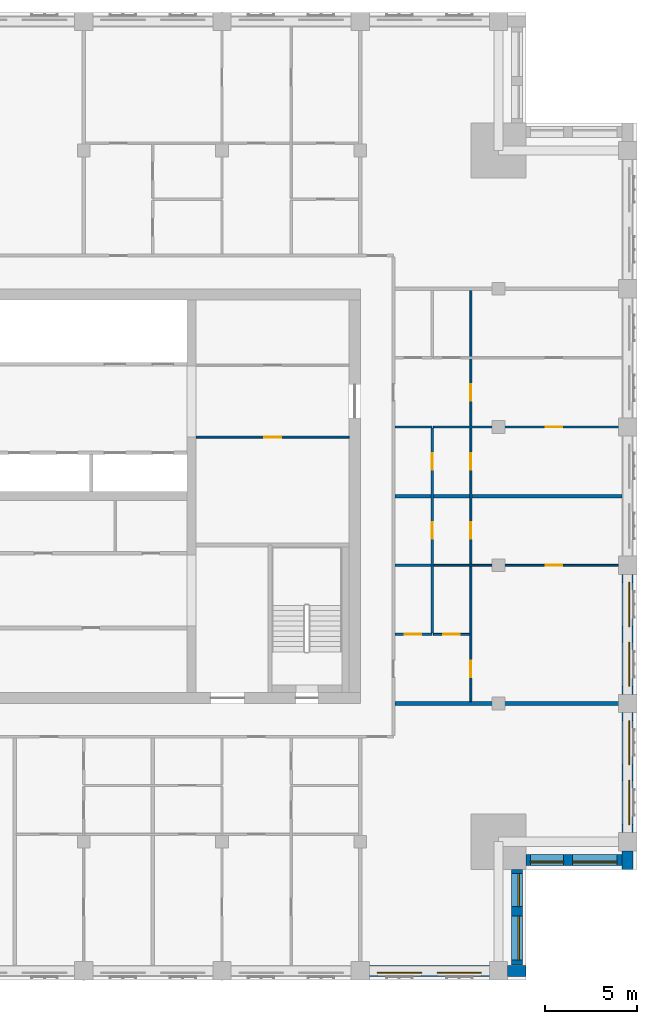
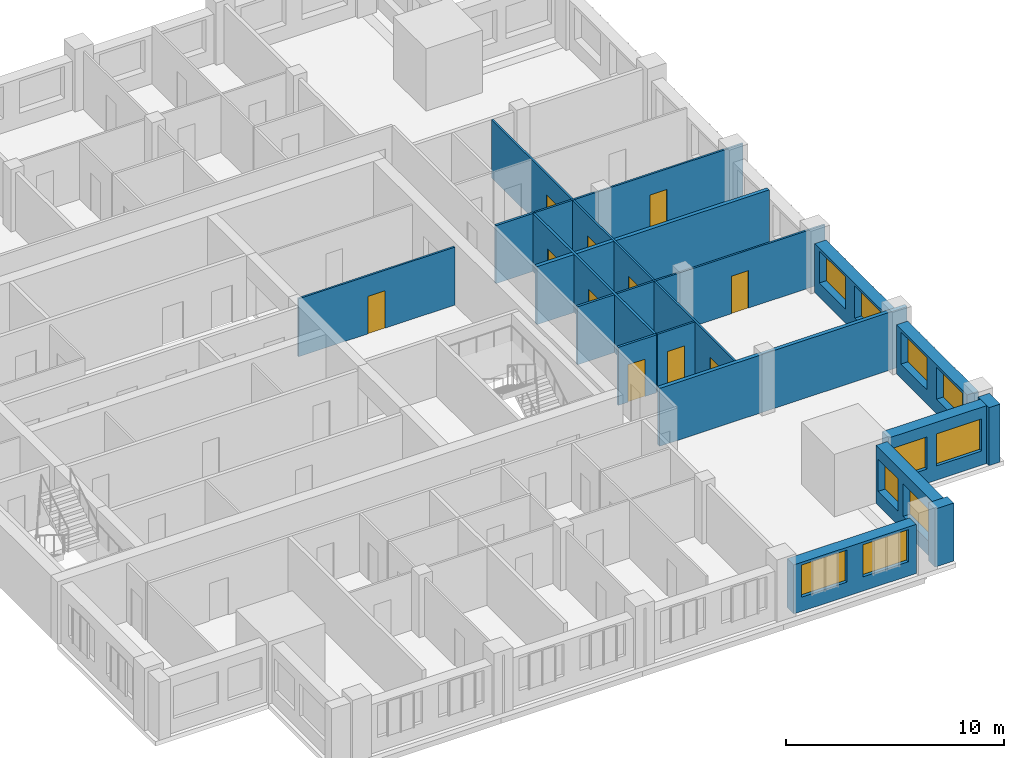
# One storey, part 5 of 10: 18 walls, 11 doors, 10 windows, 21 openings.
"""IFC4 building model written with IfcOpenShell, lengths in metres."""

import ifcopenshell
import ifcopenshell.guid

model = None  # the IFC model being written
_history = None  # IfcOwnerHistory: only IFC2X3 demands one
_inside = {}  # id of a spatial element -> (the spatial element, [elements in it])
_under = {}  # id of a project, library or spatial element -> (it, [spatial elements below it])
_declared = {}  # id of a project -> (the project, [libraries it declares])
_typed = {}  # id of a type object -> (the type object, [elements of that type])
_made_of = {}  # id of a material, layer set ... -> (it, [elements and type objects made of it])


def new_model(schema):
    """Start an empty IFC model of exactly this schema.

    Asked for "IFC4X3", IfcOpenShell would pick the latest addendum, in which some entities
    have other attributes; the version numbers below select the first issue.
    IFC2X3 requires an IfcOwnerHistory on every rooted entity: one is made here for all.
    """
    global model, _history
    if schema == "IFC4X3":
        model = ifcopenshell.file(schema_version=(4, 3, 0, 0))
    else:
        model = ifcopenshell.file(schema=schema)
    _inside.clear()
    _under.clear()
    _declared.clear()
    _typed.clear()
    _made_of.clear()
    _history = None
    if model.schema == "IFC2X3":
        org = make("IfcOrganization", Name="unknown")
        user = make(
            "IfcPersonAndOrganization",
            ThePerson=make("IfcPerson", FamilyName="unknown"),
            TheOrganization=org,
        )
        app = make(
            "IfcApplication",
            ApplicationDeveloper=org,
            Version="unknown",
            ApplicationFullName="unknown",
            ApplicationIdentifier="unknown",
        )
        _history = make(
            "IfcOwnerHistory",
            OwningUser=user,
            OwningApplication=app,
            ChangeAction="ADDED",
            CreationDate=0,
        )
    return model


def make(cls, **values):
    """One entity of the class cls with the attributes given. An attribute that is None is left unset."""
    return model.create_entity(
        cls, **{name: value for name, value in values.items() if value is not None}
    )


def rooted(cls, **values):
    """An entity with a GlobalId (a new one), such as an element, a storey or a relation."""
    return make(cls, GlobalId=ifcopenshell.guid.new(), OwnerHistory=_history, **values)


def si_unit(unit_type, name, prefix=None):
    """IfcSIUnit, for example si_unit("LENGTHUNIT", "METRE", prefix="MILLI")."""
    return make("IfcSIUnit", UnitType=unit_type, Prefix=prefix, Name=name)


def assignment(units):
    """IfcUnitAssignment: the units of a project."""
    return None if units is None else make("IfcUnitAssignment", Units=units)


def point(xyz):
    """IfcCartesianPoint."""
    return None if xyz is None else make("IfcCartesianPoint", Coordinates=xyz)


def direction(xyz):
    """IfcDirection."""
    return None if xyz is None else make("IfcDirection", DirectionRatios=xyz)


def frame(location, z_axis=None, x_axis=None):
    """IfcAxis2Placement3D, a coordinate frame: its origin and axes. An axis left out is left unset."""
    return make(
        "IfcAxis2Placement3D",
        Location=point(location),
        Axis=direction(z_axis),
        RefDirection=direction(x_axis),
    )


def frame_2d(location, x_axis=None):
    """IfcAxis2Placement2D, a coordinate frame in the plane: its origin and x axis."""
    return make(
        "IfcAxis2Placement2D", Location=point(location), RefDirection=direction(x_axis)
    )


def origin():
    """The frame at (0, 0, 0) with its axes left unset."""
    return frame((0.0, 0.0, 0.0))


def place(relative_to, where):
    """IfcLocalPlacement: puts the frame where relative to a parent placement (None: the world)."""
    return make(
        "IfcLocalPlacement", PlacementRelTo=relative_to, RelativePlacement=where
    )


def context(
    kind, dimensions, precision=None, world=None, true_north=None, identifier=None
):
    """IfcGeometricRepresentationContext, for example the 3D "Model" context."""
    return make(
        "IfcGeometricRepresentationContext",
        ContextIdentifier=identifier,
        ContextType=kind,
        CoordinateSpaceDimension=dimensions,
        Precision=precision,
        WorldCoordinateSystem=world,
        TrueNorth=true_north,
    )


def subcontext(parent, identifier, kind, view, scale=None):
    """IfcGeometricRepresentationSubContext, for example "Body" below "Model"."""
    return make(
        "IfcGeometricRepresentationSubContext",
        ContextIdentifier=identifier,
        ContextType=kind,
        ParentContext=parent,
        TargetScale=scale,
        TargetView=view,
    )


def project(units=None, contexts=None):
    """IfcProject with its units and contexts."""
    return rooted(
        "IfcProject",
        Name="project",
        RepresentationContexts=contexts,
        UnitsInContext=assignment(units),
    )


def spatial(cls, under=None, at=None, **own):
    """A site, building, storey or space (cls), placed at a placement, below another one or the project."""
    s = rooted(cls, ObjectPlacement=at, **own)
    if under is not None:
        _under.setdefault(under.id(), (under, []))[1].append(s)
    return s


def profile(cls, at=None, kind="AREA", **sizes):
    """A parametric profile (cls). Its sizes go by their IFC names, for example OverallWidth=200.0."""
    return make(cls, ProfileType=kind, Position=at, **sizes)


def rectangle(**sizes):
    """IfcRectangleProfileDef."""
    return profile("IfcRectangleProfileDef", **sizes)


def extrude(swept, where, along, depth):
    """IfcExtrudedAreaSolid: the profile swept, set in the frame where, extruded along a direction by depth."""
    return make(
        "IfcExtrudedAreaSolid",
        SweptArea=swept,
        Position=where,
        ExtrudedDirection=direction(along),
        Depth=depth,
    )


def shape(context_of_items, identifier, shape_type, items):
    """IfcShapeRepresentation: the items that make up one representation, for example the "Body"."""
    return make(
        "IfcShapeRepresentation",
        ContextOfItems=context_of_items,
        RepresentationIdentifier=identifier,
        RepresentationType=shape_type,
        Items=items,
    )


def material(Name=None, Category=None):
    """IfcMaterial."""
    return make("IfcMaterial", Name=Name, Category=Category)


def layer(
    of_material, thickness, ventilated=None, Name=None, Category=None, Priority=None
):
    """IfcMaterialLayer: one layer of a wall or slab, of a material (None: an air gap)."""
    return make(
        "IfcMaterialLayer",
        Material=of_material,
        LayerThickness=thickness,
        IsVentilated=ventilated,
        Name=Name,
        Category=Category,
        Priority=Priority,
    )


def layer_set(layers, Name=None):
    """IfcMaterialLayerSet."""
    return make("IfcMaterialLayerSet", MaterialLayers=layers, LayerSetName=Name)


def made_of(thing, what):
    """Note that an element or type object is made of a material, layer set ...; save() writes the relation."""
    if what is not None:
        _made_of.setdefault(what.id(), (what, []))[1].append(thing)
    return thing


def type_object(cls, material=None, **own):
    """A type object (cls), such as IfcWallType, which elements share."""
    return made_of(rooted(cls, **own), material)


def element(
    cls,
    number,
    at=None,
    inside=None,
    cuts=None,
    type_object=None,
    material=None,
    context=None,
    identifier="Body",
    shape_type=None,
    held_by="IfcProductDefinitionShape",
    body=None,
    shapes=None,
    **own,
):
    """One element of the class cls, such as IfcWall. Its Tag is "e" and its number.

    at: its placement. inside: the storey or other place that contains it. cuts: it is an
    opening in that element (IfcRelVoidsElement). A single representation is given by context,
    identifier, shape_type and body (its items); several are given by shapes. held_by: the class
    of the entity that holds the representations. save() writes the other relations.
    """
    e = rooted(cls, Tag="e%d" % number, ObjectPlacement=at, **own)
    if body is not None:
        shapes = [shape(context, identifier, shape_type, body)]
    if shapes is not None:
        e.Representation = make(held_by, Representations=shapes)
    if inside is not None:
        _inside.setdefault(inside.id(), (inside, []))[1].append(e)
    if cuts is not None:
        rooted(
            "IfcRelVoidsElement", RelatingBuildingElement=cuts, RelatedOpeningElement=e
        )
    if type_object is not None:
        _typed.setdefault(type_object.id(), (type_object, []))[1].append(e)
    return made_of(e, material)


def fill(opening, filler):
    """IfcRelFillsElement: the door or window that sits in an opening."""
    return rooted(
        "IfcRelFillsElement",
        RelatingOpeningElement=opening,
        RelatedBuildingElement=filler,
    )


def aggregate(whole, parts):
    """IfcRelAggregates: a whole, such as a stair, and the parts it consists of."""
    return rooted("IfcRelAggregates", RelatingObject=whole, RelatedObjects=parts)


def save(model, path):
    """Write the relations noted so far, then the file.

    IfcRelAggregates (storeys below a building ...), IfcRelContainedInSpatialStructure (elements
    in a storey), IfcRelDefinesByType, IfcRelAssociatesMaterial and IfcRelDeclares: one each for
    every whole, place, type object, material and project.
    """
    for whole, parts in _under.values():
        aggregate(whole, parts)
    for where, things in _inside.values():
        rooted(
            "IfcRelContainedInSpatialStructure",
            RelatedElements=things,
            RelatingStructure=where,
        )
    for kind, things in _typed.values():
        rooted("IfcRelDefinesByType", RelatedObjects=things, RelatingType=kind)
    for what, things in _made_of.values():
        rooted("IfcRelAssociatesMaterial", RelatedObjects=things, RelatingMaterial=what)
    for by, libraries in _declared.values():
        rooted("IfcRelDeclares", RelatingContext=by, RelatedDefinitions=libraries)
    model.write(path)


model = new_model("IFC4")

# Units and contexts
model_context = context("Model", 3, precision=1e-05, world=origin(), true_north=direction((0.0, 1.0)))
body_context = subcontext(model_context, "Body", "Model", "MODEL_VIEW")
ifc_project = project(units=[si_unit("LENGTHUNIT", "METRE"), si_unit("AREAUNIT", "SQUARE_METRE"), si_unit("VOLUMEUNIT", "CUBIC_METRE"), si_unit("PLANEANGLEUNIT", "RADIAN"), si_unit("MASSUNIT", "GRAM", prefix="KILO")], contexts=[model_context])

# Site, building, storey
site_placement = place(None, origin())
site = spatial("IfcSite", under=ifc_project, at=site_placement, CompositionType="ELEMENT")
building_placement = place(site_placement, origin())
building = spatial("IfcBuilding", under=site, at=building_placement, Name="Tamorin Gate", CompositionType="ELEMENT")
storey_placement = place(building_placement, frame((0.0, 0.0, 280.199951171875)))
storey = spatial("IfcBuildingStorey", under=building, at=storey_placement, Name="L70", CompositionType="ELEMENT", Elevation=280.199951171875)

# Wall, openings, windows
ifc_material_1 = material(Name="Precast concrete C40/50", Category="concrete")
ifc_layer_1 = layer(ifc_material_1, 0.60009765625)
ifc_layer_set_1 = layer_set([ifc_layer_1], Name="Precast concrete C40/50")
wall_type_1 = type_object("IfcWallType", Name="Board-marked concrete facade panel 600", PredefinedType="SOLIDWALL", material=ifc_layer_set_1)
wall_1_placement = place(storey_placement, frame((60.5, 45.5, 0.0), z_axis=(0.0, 0.0, 1.0), x_axis=(1.0, 0.0, 0.0)))
wall_1 = element("IfcWall", 1, at=wall_1_placement, inside=storey, type_object=wall_type_1, Name="Facade panel", PredefinedType="SOLIDWALL", context=body_context, shape_type="SweptSolid", body=[
    extrude(rectangle(XDim=6.5, YDim=0.60009765625, at=frame_2d((3.25, 0.0))), origin(), (0.0, 0.0, 1.0), 2.75),
])
opening_1_placement = place(wall_1_placement, frame((0.425048828125, 0.0, 0.800048828125)))
opening_1 = element("IfcOpeningElement", 2, at=opening_1_placement, cuts=wall_1, Name="Opening WN1", PredefinedType="OPENING", context=body_context, shape_type="SweptSolid", body=[
    extrude(rectangle(XDim=2.39990234375, YDim=1.800048828125, at=frame_2d((1.199951171875, 0.89990234375))), frame((0.0, 0.31005859375, 0.0), z_axis=(0.0, -1.0, 0.0), x_axis=(1.0, 0.0, 0.0)), (0.0, 0.0, 1.0), 0.6201171875),
])
opening_2_placement = place(wall_1_placement, frame((3.675048828125, 0.0, 0.800048828125)))
opening_2 = element("IfcOpeningElement", 3, at=opening_2_placement, cuts=wall_1, Name="Opening WN1", PredefinedType="OPENING", context=body_context, shape_type="SweptSolid", body=[
    extrude(rectangle(XDim=2.39990234375, YDim=1.800048828125, at=frame_2d((1.199951171875, 0.89990234375))), frame((0.0, 0.31005859375, 0.0), z_axis=(0.0, -1.0, 0.0), x_axis=(1.0, 0.0, 0.0)), (0.0, 0.0, 1.0), 0.6201171875),
])
ifc_material_2 = material(Name="Clear glass in aluminium frame", Category="aluminium")
window_type_1 = type_object("IfcWindowType", Name="Deep-set window 2400x1800", PartitioningType="SINGLE_PANEL", PredefinedType="WINDOW", material=ifc_material_2)
window_1_placement = place(opening_1_placement, origin())
window_1 = element("IfcWindow", 4, at=window_1_placement, inside=storey, type_object=window_type_1, Name="Deep-set window", OverallHeight=1.800048828125, OverallWidth=2.39990234375, PartitioningType="SINGLE_PANEL", PredefinedType="WINDOW", context=body_context, shape_type="SweptSolid", body=[
    extrude(rectangle(XDim=2.39990234375, YDim=1.800048828125, at=frame_2d((1.199951171875, 0.89990234375))), frame((0.0, -0.070068359375, 0.0), z_axis=(0.0, -1.0, 0.0), x_axis=(1.0, 0.0, 0.0)), (0.0, 0.0, 1.0), 0.06005859375),
])
fill(opening_1, window_1)
window_2_placement = place(opening_2_placement, origin())
window_2 = element("IfcWindow", 5, at=window_2_placement, inside=storey, type_object=window_type_1, Name="Deep-set window", OverallHeight=1.800048828125, OverallWidth=2.39990234375, PartitioningType="SINGLE_PANEL", PredefinedType="WINDOW", context=body_context, shape_type="SweptSolid", body=[
    extrude(rectangle(XDim=2.39990234375, YDim=1.800048828125, at=frame_2d((1.199951171875, 0.89990234375))), frame((0.0, -0.070068359375, 0.0), z_axis=(0.0, -1.0, 0.0), x_axis=(1.0, 0.0, 0.0)), (0.0, 0.0, 1.0), 0.06005859375),
])
fill(opening_2, window_2)

# Wall
wall_2_placement = place(storey_placement, frame((68.0, 45.5, 0.0), z_axis=(0.0, 0.0, 1.0), x_axis=(1.0, 0.0, 0.0)))
element("IfcWall", 6, at=wall_2_placement, inside=storey, type_object=wall_type_1, Name="Facade panel", PredefinedType="SOLIDWALL", context=body_context, shape_type="SweptSolid", body=[
    extrude(rectangle(XDim=1.0, YDim=0.60009765625, at=frame_2d((0.5, 0.0))), origin(), (0.0, 0.0, 1.0), 3.25),
])

# Wall, openings, windows
wall_3_placement = place(storey_placement, frame((68.5, 45.800048828125, 0.0), z_axis=(0.0, 0.0, 1.0), x_axis=(0.0, 1.0, 0.0)))
wall_3 = element("IfcWall", 7, at=wall_3_placement, inside=storey, type_object=wall_type_1, Name="Facade panel", PredefinedType="SOLIDWALL", context=body_context, shape_type="SweptSolid", body=[
    extrude(rectangle(XDim=5.199951171875, YDim=0.60009765625, at=frame_2d((2.60009765625, 0.0))), origin(), (0.0, 0.0, 1.0), 3.25),
])
opening_3_placement = place(wall_3_placement, frame((0.27490234375, 0.0, 0.800048828125)))
opening_3 = element("IfcOpeningElement", 8, at=opening_3_placement, cuts=wall_3, Name="Opening WN1", PredefinedType="OPENING", context=body_context, shape_type="SweptSolid", body=[
    extrude(rectangle(XDim=2.39990234375, YDim=1.800048828125, at=frame_2d((1.199951171875, 0.89990234375))), frame((0.0, 0.31005859375, 0.0), z_axis=(0.0, -1.0, 0.0), x_axis=(1.0, 0.0, 0.0)), (0.0, 0.0, 1.0), 0.6201171875),
])
opening_4_placement = place(wall_3_placement, frame((3.175048828125, 0.0, 0.800048828125)))
opening_4 = element("IfcOpeningElement", 9, at=opening_4_placement, cuts=wall_3, Name="Opening WN2", PredefinedType="OPENING", context=body_context, shape_type="SweptSolid", body=[
    extrude(rectangle(XDim=1.800048828125, YDim=1.800048828125, at=frame_2d((0.89990234375, 0.89990234375))), frame((0.0, 0.31005859375, 0.0), z_axis=(0.0, -1.0, 0.0), x_axis=(1.0, 0.0, 0.0)), (0.0, 0.0, 1.0), 0.6201171875),
])
window_type_2 = type_object("IfcWindowType", Name="Deep-set window 1800x1800", PartitioningType="SINGLE_PANEL", PredefinedType="WINDOW", material=ifc_material_2)
window_3_placement = place(opening_4_placement, origin())
window_3 = element("IfcWindow", 10, at=window_3_placement, inside=storey, type_object=window_type_2, Name="Deep-set window", OverallHeight=1.800048828125, OverallWidth=1.800048828125, PartitioningType="SINGLE_PANEL", PredefinedType="WINDOW", context=body_context, shape_type="SweptSolid", body=[
    extrude(rectangle(XDim=1.800048828125, YDim=1.800048828125, at=frame_2d((0.89990234375, 0.89990234375))), frame((0.0, -0.070068359375, 0.0), z_axis=(0.0, -1.0, 0.0), x_axis=(1.0, 0.0, 0.0)), (0.0, 0.0, 1.0), 0.06005859375),
])
fill(opening_4, window_3)
window_4_placement = place(opening_3_placement, origin())
window_4 = element("IfcWindow", 11, at=window_4_placement, inside=storey, type_object=window_type_1, Name="Deep-set window", OverallHeight=1.800048828125, OverallWidth=2.39990234375, PartitioningType="SINGLE_PANEL", PredefinedType="WINDOW", context=body_context, shape_type="SweptSolid", body=[
    extrude(rectangle(XDim=2.39990234375, YDim=1.800048828125, at=frame_2d((1.199951171875, 0.89990234375))), frame((0.0, -0.070068359375, 0.0), z_axis=(0.0, -1.0, 0.0), x_axis=(1.0, 0.0, 0.0)), (0.0, 0.0, 1.0), 0.06005859375),
])
fill(opening_3, window_4)

wall_4_placement = place(storey_placement, frame((69.0, 51.5, 0.0), z_axis=(0.0, 0.0, 1.0), x_axis=(1.0, 0.0, 0.0)))
wall_4 = element("IfcWall", 12, at=wall_4_placement, inside=storey, type_object=wall_type_1, Name="Facade panel", PredefinedType="SOLIDWALL", context=body_context, shape_type="SweptSolid", body=[
    extrude(rectangle(XDim=5.199951171875, YDim=0.60009765625, at=frame_2d((2.60009765625, 0.0))), origin(), (0.0, 0.0, 1.0), 3.25),
])
opening_5_placement = place(wall_4_placement, frame((0.22509765625, 0.0, 0.800048828125)))
opening_5 = element("IfcOpeningElement", 13, at=opening_5_placement, cuts=wall_4, Name="Opening WN2", PredefinedType="OPENING", context=body_context, shape_type="SweptSolid", body=[
    extrude(rectangle(XDim=1.800048828125, YDim=1.800048828125, at=frame_2d((0.89990234375, 0.89990234375))), frame((0.0, 0.31005859375, 0.0), z_axis=(0.0, -1.0, 0.0), x_axis=(1.0, 0.0, 0.0)), (0.0, 0.0, 1.0), 0.6201171875),
])
opening_6_placement = place(wall_4_placement, frame((2.52490234375, 0.0, 0.800048828125)))
opening_6 = element("IfcOpeningElement", 14, at=opening_6_placement, cuts=wall_4, Name="Opening WN1", PredefinedType="OPENING", context=body_context, shape_type="SweptSolid", body=[
    extrude(rectangle(XDim=2.39990234375, YDim=1.800048828125, at=frame_2d((1.199951171875, 0.89990234375))), frame((0.0, 0.31005859375, 0.0), z_axis=(0.0, -1.0, 0.0), x_axis=(1.0, 0.0, 0.0)), (0.0, 0.0, 1.0), 0.6201171875),
])
window_5_placement = place(opening_5_placement, origin())
window_5 = element("IfcWindow", 15, at=window_5_placement, inside=storey, type_object=window_type_2, Name="Deep-set window", OverallHeight=1.800048828125, OverallWidth=1.800048828125, PartitioningType="SINGLE_PANEL", PredefinedType="WINDOW", context=body_context, shape_type="SweptSolid", body=[
    extrude(rectangle(XDim=1.800048828125, YDim=1.800048828125, at=frame_2d((0.89990234375, 0.89990234375))), frame((0.0, -0.070068359375, 0.0), z_axis=(0.0, -1.0, 0.0), x_axis=(1.0, 0.0, 0.0)), (0.0, 0.0, 1.0), 0.06005859375),
])
fill(opening_5, window_5)
window_6_placement = place(opening_6_placement, origin())
window_6 = element("IfcWindow", 16, at=window_6_placement, inside=storey, type_object=window_type_1, Name="Deep-set window", OverallHeight=1.800048828125, OverallWidth=2.39990234375, PartitioningType="SINGLE_PANEL", PredefinedType="WINDOW", context=body_context, shape_type="SweptSolid", body=[
    extrude(rectangle(XDim=2.39990234375, YDim=1.800048828125, at=frame_2d((1.199951171875, 0.89990234375))), frame((0.0, -0.070068359375, 0.0), z_axis=(0.0, -1.0, 0.0), x_axis=(1.0, 0.0, 0.0)), (0.0, 0.0, 1.0), 0.06005859375),
])
fill(opening_6, window_6)

# Wall
wall_5_placement = place(storey_placement, frame((74.5, 51.0, 0.0), z_axis=(0.0, 0.0, 1.0), x_axis=(0.0, 1.0, 0.0)))
element("IfcWall", 17, at=wall_5_placement, inside=storey, type_object=wall_type_1, Name="Facade panel", PredefinedType="SOLIDWALL", context=body_context, shape_type="SweptSolid", body=[
    extrude(rectangle(XDim=1.0, YDim=0.60009765625, at=frame_2d((0.5, 0.0))), origin(), (0.0, 0.0, 1.0), 3.25),
])

# Wall, openings, windows
wall_6_placement = place(storey_placement, frame((74.5, 53.0, 0.0), z_axis=(0.0, 0.0, 1.0), x_axis=(0.0, 1.0, 0.0)))
wall_6 = element("IfcWall", 18, at=wall_6_placement, inside=storey, type_object=wall_type_1, Name="Facade panel", PredefinedType="SOLIDWALL", context=body_context, shape_type="SweptSolid", body=[
    extrude(rectangle(XDim=6.5, YDim=0.60009765625, at=frame_2d((3.25, 0.0))), origin(), (0.0, 0.0, 1.0), 2.75),
])
opening_7_placement = place(wall_6_placement, frame((0.425048828125, 0.0, 0.800048828125)))
opening_7 = element("IfcOpeningElement", 19, at=opening_7_placement, cuts=wall_6, Name="Opening WN1", PredefinedType="OPENING", context=body_context, shape_type="SweptSolid", body=[
    extrude(rectangle(XDim=2.39990234375, YDim=1.800048828125, at=frame_2d((1.199951171875, 0.89990234375))), frame((0.0, 0.31005859375, 0.0), z_axis=(0.0, -1.0, 0.0), x_axis=(1.0, 0.0, 0.0)), (0.0, 0.0, 1.0), 0.6201171875),
])
opening_8_placement = place(wall_6_placement, frame((3.675048828125, 0.0, 0.800048828125)))
opening_8 = element("IfcOpeningElement", 20, at=opening_8_placement, cuts=wall_6, Name="Opening WN1", PredefinedType="OPENING", context=body_context, shape_type="SweptSolid", body=[
    extrude(rectangle(XDim=2.39990234375, YDim=1.800048828125, at=frame_2d((1.199951171875, 0.89990234375))), frame((0.0, 0.31005859375, 0.0), z_axis=(0.0, -1.0, 0.0), x_axis=(1.0, 0.0, 0.0)), (0.0, 0.0, 1.0), 0.6201171875),
])
window_7_placement = place(opening_7_placement, origin())
window_7 = element("IfcWindow", 21, at=window_7_placement, inside=storey, type_object=window_type_1, Name="Deep-set window", OverallHeight=1.800048828125, OverallWidth=2.39990234375, PartitioningType="SINGLE_PANEL", PredefinedType="WINDOW", context=body_context, shape_type="SweptSolid", body=[
    extrude(rectangle(XDim=2.39990234375, YDim=1.800048828125, at=frame_2d((1.199951171875, 0.89990234375))), frame((0.0, -0.070068359375, 0.0), z_axis=(0.0, -1.0, 0.0), x_axis=(1.0, 0.0, 0.0)), (0.0, 0.0, 1.0), 0.06005859375),
])
fill(opening_7, window_7)
window_8_placement = place(opening_8_placement, origin())
window_8 = element("IfcWindow", 22, at=window_8_placement, inside=storey, type_object=window_type_1, Name="Deep-set window", OverallHeight=1.800048828125, OverallWidth=2.39990234375, PartitioningType="SINGLE_PANEL", PredefinedType="WINDOW", context=body_context, shape_type="SweptSolid", body=[
    extrude(rectangle(XDim=2.39990234375, YDim=1.800048828125, at=frame_2d((1.199951171875, 0.89990234375))), frame((0.0, -0.070068359375, 0.0), z_axis=(0.0, -1.0, 0.0), x_axis=(1.0, 0.0, 0.0)), (0.0, 0.0, 1.0), 0.06005859375),
])
fill(opening_8, window_8)

wall_7_placement = place(storey_placement, frame((74.5, 60.5, 0.0), z_axis=(0.0, 0.0, 1.0), x_axis=(0.0, 1.0, 0.0)))
wall_7 = element("IfcWall", 23, at=wall_7_placement, inside=storey, type_object=wall_type_1, Name="Facade panel", PredefinedType="SOLIDWALL", context=body_context, shape_type="SweptSolid", body=[
    extrude(rectangle(XDim=6.5, YDim=0.60009765625, at=frame_2d((3.25, 0.0))), origin(), (0.0, 0.0, 1.0), 2.75),
])
opening_9_placement = place(wall_7_placement, frame((0.425048828125, 0.0, 0.800048828125)))
opening_9 = element("IfcOpeningElement", 24, at=opening_9_placement, cuts=wall_7, Name="Opening WN1", PredefinedType="OPENING", context=body_context, shape_type="SweptSolid", body=[
    extrude(rectangle(XDim=2.39990234375, YDim=1.800048828125, at=frame_2d((1.199951171875, 0.89990234375))), frame((0.0, 0.31005859375, 0.0), z_axis=(0.0, -1.0, 0.0), x_axis=(1.0, 0.0, 0.0)), (0.0, 0.0, 1.0), 0.6201171875),
])
opening_10_placement = place(wall_7_placement, frame((3.675048828125, 0.0, 0.800048828125)))
opening_10 = element("IfcOpeningElement", 25, at=opening_10_placement, cuts=wall_7, Name="Opening WN1", PredefinedType="OPENING", context=body_context, shape_type="SweptSolid", body=[
    extrude(rectangle(XDim=2.39990234375, YDim=1.800048828125, at=frame_2d((1.199951171875, 0.89990234375))), frame((0.0, 0.31005859375, 0.0), z_axis=(0.0, -1.0, 0.0), x_axis=(1.0, 0.0, 0.0)), (0.0, 0.0, 1.0), 0.6201171875),
])
window_9_placement = place(opening_9_placement, origin())
window_9 = element("IfcWindow", 26, at=window_9_placement, inside=storey, type_object=window_type_1, Name="Deep-set window", OverallHeight=1.800048828125, OverallWidth=2.39990234375, PartitioningType="SINGLE_PANEL", PredefinedType="WINDOW", context=body_context, shape_type="SweptSolid", body=[
    extrude(rectangle(XDim=2.39990234375, YDim=1.800048828125, at=frame_2d((1.199951171875, 0.89990234375))), frame((0.0, -0.070068359375, 0.0), z_axis=(0.0, -1.0, 0.0), x_axis=(1.0, 0.0, 0.0)), (0.0, 0.0, 1.0), 0.06005859375),
])
fill(opening_9, window_9)
window_10_placement = place(opening_10_placement, origin())
window_10 = element("IfcWindow", 27, at=window_10_placement, inside=storey, type_object=window_type_1, Name="Deep-set window", OverallHeight=1.800048828125, OverallWidth=2.39990234375, PartitioningType="SINGLE_PANEL", PredefinedType="WINDOW", context=body_context, shape_type="SweptSolid", body=[
    extrude(rectangle(XDim=2.39990234375, YDim=1.800048828125, at=frame_2d((1.199951171875, 0.89990234375))), frame((0.0, -0.070068359375, 0.0), z_axis=(0.0, -1.0, 0.0), x_axis=(1.0, 0.0, 0.0)), (0.0, 0.0, 1.0), 0.06005859375),
])
fill(opening_10, window_10)

# Walls
ifc_material_3 = material(Name="Gypsum board partition")
ifc_layer_2 = layer(ifc_material_3, 0.199951171875)
ifc_layer_set_2 = layer_set([ifc_layer_2], Name="Demising wall 200")
wall_type_2 = type_object("IfcWallType", Name="Demising wall 200", PredefinedType="PARTITIONING", material=ifc_layer_set_2)
wall_8_placement = place(storey_placement, frame((61.875, 60.0, 0.0), z_axis=(0.0, 0.0, 1.0), x_axis=(1.0, 0.0, 0.0)))
element("IfcWall", 28, at=wall_8_placement, inside=storey, type_object=wall_type_2, Name="Demising wall 200", PredefinedType="PARTITIONING", context=body_context, shape_type="SweptSolid", body=[
    extrude(rectangle(XDim=13.125, YDim=0.199951171875, at=frame_2d((6.5625, 0.0))), origin(), (0.0, 0.0, 1.0), 3.25),
])
wall_9_placement = place(storey_placement, frame((61.875, 71.25, 0.0), z_axis=(0.0, 0.0, 1.0), x_axis=(1.0, 0.0, 0.0)))
element("IfcWall", 29, at=wall_9_placement, inside=storey, type_object=wall_type_2, Name="Demising wall 200", PredefinedType="PARTITIONING", context=body_context, shape_type="SweptSolid", body=[
    extrude(rectangle(XDim=12.31494140625, YDim=0.199951171875, at=frame_2d((6.157470703125, 0.0))), origin(), (0.0, 0.0, 1.0), 3.25),
])

# Wall, opening, door
ifc_layer_3 = layer(ifc_material_3, 0.10009765625)
ifc_layer_set_3 = layer_set([ifc_layer_3], Name="Room partition 100")
wall_type_3 = type_object("IfcWallType", Name="Room partition 100", PredefinedType="PARTITIONING", material=ifc_layer_set_3)
wall_10_placement = place(storey_placement, frame((63.96240234375, 63.75, 0.0), z_axis=(0.0, 0.0, 1.0), x_axis=(1.0, 0.0, 0.0)))
wall_10 = element("IfcWall", 30, at=wall_10_placement, inside=storey, type_object=wall_type_3, Name="Room partition 100", PredefinedType="PARTITIONING", context=body_context, shape_type="SweptSolid", body=[
    extrude(rectangle(XDim=1.987548828125, YDim=0.10009765625, at=frame_2d((0.99365234375, 0.0))), origin(), (0.0, 0.0, 1.0), 3.25),
])
opening_11_placement = place(wall_10_placement, frame((0.53759765625, 0.0, 0.0)))
opening_11 = element("IfcOpeningElement", 31, at=opening_11_placement, cuts=wall_10, Name="Opening DR9031", PredefinedType="OPENING", context=body_context, shape_type="SweptSolid", body=[
    extrude(rectangle(XDim=0.89990234375, YDim=2.10009765625, at=frame_2d((0.449951171875, 1.050048828125))), frame((0.0, 0.06005859375, 0.0), z_axis=(0.0, -1.0, 0.0), x_axis=(1.0, 0.0, 0.0)), (0.0, 0.0, 1.0), 0.1201171875),
])
ifc_material_4 = material(Name="Timber door leaf", Category="wood")
door_type_1 = type_object("IfcDoorType", Name="Door 900 x 2100", OperationType="NOTDEFINED", PredefinedType="DOOR", material=ifc_material_4)
door_1_placement = place(opening_11_placement, origin())
door_1 = element("IfcDoor", 32, at=door_1_placement, inside=storey, type_object=door_type_1, Name="Door DR9031", OperationType="SINGLE_SWING_RIGHT", OverallHeight=2.10009765625, OverallWidth=0.89990234375, PredefinedType="DOOR", context=body_context, shape_type="SweptSolid", body=[
    extrude(rectangle(XDim=0.89990234375, YDim=2.10009765625, at=frame_2d((0.449951171875, 1.050048828125))), frame((0.0, 0.02490234375, 0.0), z_axis=(0.0, -1.0, 0.0), x_axis=(1.0, 0.0, 0.0)), (0.0, 0.0, 1.0), 0.050048828125),
])
fill(opening_11, door_1)

wall_11_placement = place(storey_placement, frame((63.96240234375, 67.5, 0.0), z_axis=(0.0, 0.0, 1.0), x_axis=(1.0, 0.0, 0.0)))
wall_11 = element("IfcWall", 33, at=wall_11_placement, inside=storey, type_object=wall_type_3, Name="Room partition 100", PredefinedType="PARTITIONING", context=body_context, shape_type="SweptSolid", body=[
    extrude(rectangle(XDim=11.03759765625, YDim=0.10009765625, at=frame_2d((5.518798828125, 0.0))), origin(), (0.0, 0.0, 1.0), 3.25),
])
opening_12_placement = place(wall_11_placement, frame((6.08740234375, 0.0, 0.0)))
opening_12 = element("IfcOpeningElement", 34, at=opening_12_placement, cuts=wall_11, Name="Opening DR9035", PredefinedType="OPENING", context=body_context, shape_type="SweptSolid", body=[
    extrude(rectangle(XDim=0.89990234375, YDim=2.10009765625, at=frame_2d((0.449951171875, 1.050048828125))), frame((0.0, 0.06005859375, 0.0), z_axis=(0.0, -1.0, 0.0), x_axis=(1.0, 0.0, 0.0)), (0.0, 0.0, 1.0), 0.1201171875),
])
door_2_placement = place(opening_12_placement, origin())
door_2 = element("IfcDoor", 35, at=door_2_placement, inside=storey, type_object=door_type_1, Name="Door DR9035", OperationType="SINGLE_SWING_RIGHT", OverallHeight=2.10009765625, OverallWidth=0.89990234375, PredefinedType="DOOR", context=body_context, shape_type="SweptSolid", body=[
    extrude(rectangle(XDim=0.89990234375, YDim=2.10009765625, at=frame_2d((0.449951171875, 1.050048828125))), frame((0.0, 0.02490234375, 0.0), z_axis=(0.0, -1.0, 0.0), x_axis=(1.0, 0.0, 0.0)), (0.0, 0.0, 1.0), 0.050048828125),
])
fill(opening_12, door_2)

wall_12_placement = place(storey_placement, frame((63.96240234375, 75.0, 0.0), z_axis=(0.0, 0.0, 1.0), x_axis=(1.0, 0.0, 0.0)))
wall_12 = element("IfcWall", 36, at=wall_12_placement, inside=storey, type_object=wall_type_3, Name="Room partition 100", PredefinedType="PARTITIONING", context=body_context, shape_type="SweptSolid", body=[
    extrude(rectangle(XDim=11.03759765625, YDim=0.10009765625, at=frame_2d((5.518798828125, 0.0))), origin(), (0.0, 0.0, 1.0), 3.25),
])
opening_13_placement = place(wall_12_placement, frame((6.08740234375, 0.0, 0.0)))
opening_13 = element("IfcOpeningElement", 37, at=opening_13_placement, cuts=wall_12, Name="Opening DR9042", PredefinedType="OPENING", context=body_context, shape_type="SweptSolid", body=[
    extrude(rectangle(XDim=0.89990234375, YDim=2.10009765625, at=frame_2d((0.449951171875, 1.050048828125))), frame((0.0, 0.06005859375, 0.0), z_axis=(0.0, -1.0, 0.0), x_axis=(1.0, 0.0, 0.0)), (0.0, 0.0, 1.0), 0.1201171875),
])
door_3_placement = place(opening_13_placement, origin())
door_3 = element("IfcDoor", 38, at=door_3_placement, inside=storey, type_object=door_type_1, Name="Door DR9042", OperationType="SINGLE_SWING_RIGHT", OverallHeight=2.10009765625, OverallWidth=0.89990234375, PredefinedType="DOOR", context=body_context, shape_type="SweptSolid", body=[
    extrude(rectangle(XDim=0.89990234375, YDim=2.10009765625, at=frame_2d((0.449951171875, 1.050048828125))), frame((0.0, 0.02490234375, 0.0), z_axis=(0.0, -1.0, 0.0), x_axis=(1.0, 0.0, 0.0)), (0.0, 0.0, 1.0), 0.050048828125),
])
fill(opening_13, door_3)

# Wall, openings, doors
wall_13_placement = place(storey_placement, frame((66.0, 60.10009765625, 0.0), z_axis=(0.0, 0.0, 1.0), x_axis=(0.0, 1.0, 0.0)))
wall_13 = element("IfcWall", 39, at=wall_13_placement, inside=storey, type_object=wall_type_3, Name="Room partition 100", PredefinedType="PARTITIONING", context=body_context, shape_type="SweptSolid", body=[
    extrude(rectangle(XDim=22.2998046875, YDim=0.10009765625, at=frame_2d((11.14990234375, 0.0))), origin(), (0.0, 0.0, 1.0), 3.25),
])
opening_14_placement = place(wall_13_placement, frame((1.324951171875, 0.0, 0.0)))
opening_14 = element("IfcOpeningElement", 40, at=opening_14_placement, cuts=wall_13, Name="Opening DR9030", PredefinedType="OPENING", context=body_context, shape_type="SweptSolid", body=[
    extrude(rectangle(XDim=0.89990234375, YDim=2.10009765625, at=frame_2d((0.449951171875, 1.050048828125))), frame((0.0, 0.06005859375, 0.0), z_axis=(0.0, -1.0, 0.0), x_axis=(1.0, 0.0, 0.0)), (0.0, 0.0, 1.0), 0.1201171875),
])
opening_15_placement = place(wall_13_placement, frame((8.824951171875, 0.0, 0.0)))
opening_15 = element("IfcOpeningElement", 41, at=opening_15_placement, cuts=wall_13, Name="Opening DR9033", PredefinedType="OPENING", context=body_context, shape_type="SweptSolid", body=[
    extrude(rectangle(XDim=0.89990234375, YDim=2.10009765625, at=frame_2d((0.449951171875, 1.050048828125))), frame((0.0, 0.06005859375, 0.0), z_axis=(0.0, -1.0, 0.0), x_axis=(1.0, 0.0, 0.0)), (0.0, 0.0, 1.0), 0.1201171875),
])
opening_16_placement = place(wall_13_placement, frame((12.574951171875, 0.0, 0.0)))
opening_16 = element("IfcOpeningElement", 42, at=opening_16_placement, cuts=wall_13, Name="Opening DR9036", PredefinedType="OPENING", context=body_context, shape_type="SweptSolid", body=[
    extrude(rectangle(XDim=0.89990234375, YDim=2.10009765625, at=frame_2d((0.449951171875, 1.050048828125))), frame((0.0, 0.06005859375, 0.0), z_axis=(0.0, -1.0, 0.0), x_axis=(1.0, 0.0, 0.0)), (0.0, 0.0, 1.0), 0.1201171875),
])
opening_17_placement = place(wall_13_placement, frame((16.324951171875, 0.0, 0.0)))
opening_17 = element("IfcOpeningElement", 43, at=opening_17_placement, cuts=wall_13, Name="Opening DR9039", PredefinedType="OPENING", context=body_context, shape_type="SweptSolid", body=[
    extrude(rectangle(XDim=0.89990234375, YDim=2.10009765625, at=frame_2d((0.449951171875, 1.050048828125))), frame((0.0, 0.06005859375, 0.0), z_axis=(0.0, -1.0, 0.0), x_axis=(1.0, 0.0, 0.0)), (0.0, 0.0, 1.0), 0.1201171875),
])
door_4_placement = place(opening_14_placement, origin())
door_4 = element("IfcDoor", 44, at=door_4_placement, inside=storey, type_object=door_type_1, Name="Door DR9030", OperationType="SINGLE_SWING_LEFT", OverallHeight=2.10009765625, OverallWidth=0.89990234375, PredefinedType="DOOR", context=body_context, shape_type="SweptSolid", body=[
    extrude(rectangle(XDim=0.89990234375, YDim=2.10009765625, at=frame_2d((0.449951171875, 1.050048828125))), frame((0.0, 0.02490234375, 0.0), z_axis=(0.0, -1.0, 0.0), x_axis=(1.0, 0.0, 0.0)), (0.0, 0.0, 1.0), 0.050048828125),
])
fill(opening_14, door_4)
door_5_placement = place(opening_15_placement, origin())
door_5 = element("IfcDoor", 45, at=door_5_placement, inside=storey, type_object=door_type_1, Name="Door DR9033", OperationType="SINGLE_SWING_LEFT", OverallHeight=2.10009765625, OverallWidth=0.89990234375, PredefinedType="DOOR", context=body_context, shape_type="SweptSolid", body=[
    extrude(rectangle(XDim=0.89990234375, YDim=2.10009765625, at=frame_2d((0.449951171875, 1.050048828125))), frame((0.0, 0.02490234375, 0.0), z_axis=(0.0, -1.0, 0.0), x_axis=(1.0, 0.0, 0.0)), (0.0, 0.0, 1.0), 0.050048828125),
])
fill(opening_15, door_5)
door_6_placement = place(opening_16_placement, origin())
door_6 = element("IfcDoor", 46, at=door_6_placement, inside=storey, type_object=door_type_1, Name="Door DR9036", OperationType="SINGLE_SWING_LEFT", OverallHeight=2.10009765625, OverallWidth=0.89990234375, PredefinedType="DOOR", context=body_context, shape_type="SweptSolid", body=[
    extrude(rectangle(XDim=0.89990234375, YDim=2.10009765625, at=frame_2d((0.449951171875, 1.050048828125))), frame((0.0, 0.02490234375, 0.0), z_axis=(0.0, -1.0, 0.0), x_axis=(1.0, 0.0, 0.0)), (0.0, 0.0, 1.0), 0.050048828125),
])
fill(opening_16, door_6)
door_7_placement = place(opening_17_placement, origin())
door_7 = element("IfcDoor", 47, at=door_7_placement, inside=storey, type_object=door_type_1, Name="Door DR9039", OperationType="SINGLE_SWING_LEFT", OverallHeight=2.10009765625, OverallWidth=0.89990234375, PredefinedType="DOOR", context=body_context, shape_type="SweptSolid", body=[
    extrude(rectangle(XDim=0.89990234375, YDim=2.10009765625, at=frame_2d((0.449951171875, 1.050048828125))), frame((0.0, 0.02490234375, 0.0), z_axis=(0.0, -1.0, 0.0), x_axis=(1.0, 0.0, 0.0)), (0.0, 0.0, 1.0), 0.050048828125),
])
fill(opening_17, door_7)

# Wall, opening, door
ifc_layer_4 = layer(ifc_material_3, 0.10009765625)
ifc_layer_set_4 = layer_set([ifc_layer_4], Name="Service room partition 100 EI 60")
wall_type_4 = type_object("IfcWallType", Name="Service room partition 100 EI 60", PredefinedType="PARTITIONING", material=ifc_layer_set_4)
wall_14_placement = place(storey_placement, frame((51.10009765625, 74.449951171875, 0.0), z_axis=(0.0, 0.0, 1.0), x_axis=(1.0, 0.0, 0.0)))
wall_14 = element("IfcWall", 48, at=wall_14_placement, inside=storey, type_object=wall_type_4, Name="Service room wall", PredefinedType="PARTITIONING", context=body_context, shape_type="SweptSolid", body=[
    extrude(rectangle(XDim=8.2998046875, YDim=0.10009765625, at=frame_2d((4.14990234375, 0.0))), origin(), (0.0, 0.0, 1.0), 3.25),
])
opening_18_placement = place(wall_14_placement, frame((3.699951171875, 0.0, 0.0)))
opening_18 = element("IfcOpeningElement", 49, at=opening_18_placement, cuts=wall_14, Name="Opening DR1", PredefinedType="OPENING", context=body_context, shape_type="SweptSolid", body=[
    extrude(rectangle(XDim=0.89990234375, YDim=2.10009765625, at=frame_2d((0.449951171875, 1.050048828125))), frame((0.0, 0.06005859375, 0.0), z_axis=(0.0, -1.0, 0.0), x_axis=(1.0, 0.0, 0.0)), (0.0, 0.0, 1.0), 0.1201171875),
])
ifc_material_5 = material(Name="Steel fire door", Category="steel")
door_type_2 = type_object("IfcDoorType", Name="Riser access door 900 x 2100 EI 120", OperationType="SINGLE_SWING_LEFT", PredefinedType="DOOR", material=ifc_material_5)
door_8_placement = place(opening_18_placement, origin())
door_8 = element("IfcDoor", 50, at=door_8_placement, inside=storey, type_object=door_type_2, Name="Duct riser door", OperationType="SINGLE_SWING_RIGHT", OverallHeight=2.10009765625, OverallWidth=0.89990234375, PredefinedType="DOOR", context=body_context, shape_type="SweptSolid", body=[
    extrude(rectangle(XDim=0.89990234375, YDim=2.10009765625, at=frame_2d((0.449951171875, 1.050048828125))), frame((0.0, 0.02490234375, 0.0), z_axis=(0.0, -1.0, 0.0), x_axis=(1.0, 0.0, 0.0)), (0.0, 0.0, 1.0), 0.050048828125),
])
fill(opening_18, door_8)

ifc_layer_5 = layer(ifc_material_3, 0.125)
ifc_layer_set_5 = layer_set([ifc_layer_5], Name="Wet wall 125")
wall_type_5 = type_object("IfcWallType", Name="Wet wall 125", PredefinedType="PARTITIONING", material=ifc_layer_set_5)
wall_15_placement = place(storey_placement, frame((61.875, 63.75, 0.0), z_axis=(0.0, 0.0, 1.0), x_axis=(1.0, 0.0, 0.0)))
wall_15 = element("IfcWall", 51, at=wall_15_placement, inside=storey, type_object=wall_type_5, Name="Wet wall 125", PredefinedType="PARTITIONING", context=body_context, shape_type="SweptSolid", body=[
    extrude(rectangle(XDim=2.02490234375, YDim=0.125, at=frame_2d((1.012451171875, 0.0))), origin(), (0.0, 0.0, 1.0), 3.25),
])
opening_19_placement = place(wall_15_placement, frame((0.52490234375, 0.0, 0.0)))
opening_19 = element("IfcOpeningElement", 52, at=opening_19_placement, cuts=wall_15, Name="Opening DR9032", PredefinedType="OPENING", context=body_context, shape_type="SweptSolid", body=[
    extrude(rectangle(XDim=0.89990234375, YDim=2.10009765625, at=frame_2d((0.449951171875, 1.050048828125))), frame((0.0, 0.072509765625, 0.0), z_axis=(0.0, -1.0, 0.0), x_axis=(1.0, 0.0, 0.0)), (0.0, 0.0, 1.0), 0.14501953125),
])
door_9_placement = place(opening_19_placement, origin())
door_9 = element("IfcDoor", 53, at=door_9_placement, inside=storey, type_object=door_type_1, Name="Door DR9032", OperationType="SINGLE_SWING_RIGHT", OverallHeight=2.10009765625, OverallWidth=0.89990234375, PredefinedType="DOOR", context=body_context, shape_type="SweptSolid", body=[
    extrude(rectangle(XDim=0.89990234375, YDim=2.10009765625, at=frame_2d((0.449951171875, 1.050048828125))), frame((0.0, 0.02490234375, 0.0), z_axis=(0.0, -1.0, 0.0), x_axis=(1.0, 0.0, 0.0)), (0.0, 0.0, 1.0), 0.050048828125),
])
fill(opening_19, door_9)

# Walls
wall_16_placement = place(storey_placement, frame((61.875, 67.5, 0.0), z_axis=(0.0, 0.0, 1.0), x_axis=(1.0, 0.0, 0.0)))
element("IfcWall", 54, at=wall_16_placement, inside=storey, type_object=wall_type_5, Name="Wet wall 125", PredefinedType="PARTITIONING", context=body_context, shape_type="SweptSolid", body=[
    extrude(rectangle(XDim=1.96240234375, YDim=0.125, at=frame_2d((0.981201171875, 0.0))), origin(), (0.0, 0.0, 1.0), 3.25),
])
wall_17_placement = place(storey_placement, frame((61.875, 75.0, 0.0), z_axis=(0.0, 0.0, 1.0), x_axis=(1.0, 0.0, 0.0)))
element("IfcWall", 55, at=wall_17_placement, inside=storey, type_object=wall_type_5, Name="Wet wall 125", PredefinedType="PARTITIONING", context=body_context, shape_type="SweptSolid", body=[
    extrude(rectangle(XDim=2.02490234375, YDim=0.125, at=frame_2d((1.012451171875, 0.0))), origin(), (0.0, 0.0, 1.0), 3.25),
])

# Wall, openings, doors
wall_18_placement = place(storey_placement, frame((63.89990234375, 63.8125, 0.0), z_axis=(0.0, 0.0, 1.0), x_axis=(0.0, 1.0, 0.0)))
wall_18 = element("IfcWall", 56, at=wall_18_placement, inside=storey, type_object=wall_type_5, Name="Wet wall 125", PredefinedType="PARTITIONING", context=body_context, shape_type="SweptSolid", body=[
    extrude(rectangle(XDim=11.125, YDim=0.125, at=frame_2d((5.5625, 0.0))), origin(), (0.0, 0.0, 1.0), 3.25),
])
opening_20_placement = place(wall_18_placement, frame((5.112548828125, 0.0, 0.0)))
opening_20 = element("IfcOpeningElement", 57, at=opening_20_placement, cuts=wall_18, Name="Opening DR9034", PredefinedType="OPENING", context=body_context, shape_type="SweptSolid", body=[
    extrude(rectangle(XDim=0.89990234375, YDim=2.10009765625, at=frame_2d((0.449951171875, 1.050048828125))), frame((0.0, 0.072509765625, 0.0), z_axis=(0.0, -1.0, 0.0), x_axis=(1.0, 0.0, 0.0)), (0.0, 0.0, 1.0), 0.14501953125),
])
opening_21_placement = place(wall_18_placement, frame((8.862548828125, 0.0, 0.0)))
opening_21 = element("IfcOpeningElement", 58, at=opening_21_placement, cuts=wall_18, Name="Opening DR9037", PredefinedType="OPENING", context=body_context, shape_type="SweptSolid", body=[
    extrude(rectangle(XDim=0.89990234375, YDim=2.10009765625, at=frame_2d((0.449951171875, 1.050048828125))), frame((0.0, 0.072509765625, 0.0), z_axis=(0.0, -1.0, 0.0), x_axis=(1.0, 0.0, 0.0)), (0.0, 0.0, 1.0), 0.14501953125),
])
door_10_placement = place(opening_20_placement, origin())
door_10 = element("IfcDoor", 59, at=door_10_placement, inside=storey, type_object=door_type_1, Name="Door DR9034", OperationType="SINGLE_SWING_LEFT", OverallHeight=2.10009765625, OverallWidth=0.89990234375, PredefinedType="DOOR", context=body_context, shape_type="SweptSolid", body=[
    extrude(rectangle(XDim=0.89990234375, YDim=2.10009765625, at=frame_2d((0.449951171875, 1.050048828125))), frame((0.0, 0.02490234375, 0.0), z_axis=(0.0, -1.0, 0.0), x_axis=(1.0, 0.0, 0.0)), (0.0, 0.0, 1.0), 0.050048828125),
])
fill(opening_20, door_10)
door_11_placement = place(opening_21_placement, origin())
door_11 = element("IfcDoor", 60, at=door_11_placement, inside=storey, type_object=door_type_1, Name="Door DR9037", OperationType="SINGLE_SWING_LEFT", OverallHeight=2.10009765625, OverallWidth=0.89990234375, PredefinedType="DOOR", context=body_context, shape_type="SweptSolid", body=[
    extrude(rectangle(XDim=0.89990234375, YDim=2.10009765625, at=frame_2d((0.449951171875, 1.050048828125))), frame((0.0, 0.02490234375, 0.0), z_axis=(0.0, -1.0, 0.0), x_axis=(1.0, 0.0, 0.0)), (0.0, 0.0, 1.0), 0.050048828125),
])
fill(opening_21, door_11)

save(model, "model.ifc")
